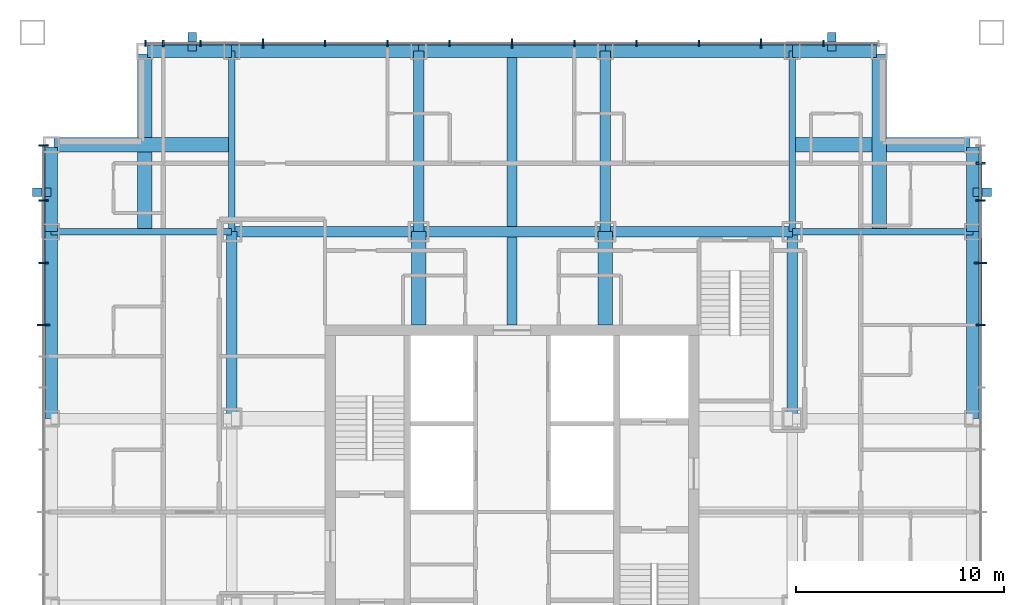
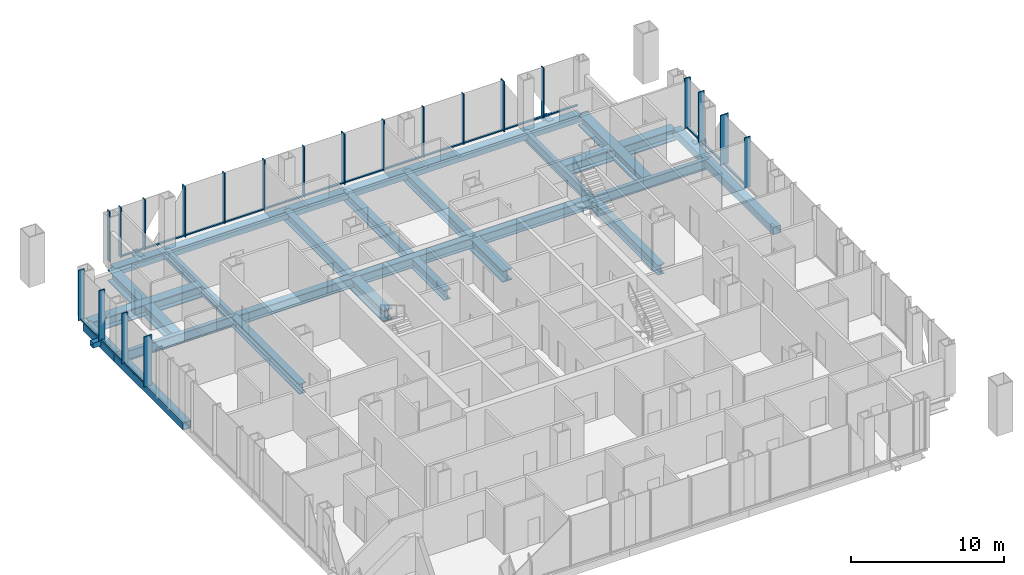
# One storey, part 4 of 12: 43 members, 27 beams, 3 elements without a shape of their own.
"""IFC4 building model written with IfcOpenShell, lengths in metres."""

from ifc_helpers import new_model, si_unit, direction, frame, origin, origin_2d, place, context, subcontext, project, spatial, rectangle, hollow_rectangle, i_section, extrude, material, layer, layer_set, material_profile, profile_set, type_object, element, aggregate, save


model = new_model("IFC4")

# Units and contexts
model_context = context("Model", 3, precision=1e-05, world=origin(), true_north=direction((0.0, 1.0)))
body_context = subcontext(model_context, "Body", "Model", "MODEL_VIEW")
ifc_project = project(units=[si_unit("LENGTHUNIT", "METRE"), si_unit("AREAUNIT", "SQUARE_METRE"), si_unit("VOLUMEUNIT", "CUBIC_METRE"), si_unit("PLANEANGLEUNIT", "RADIAN"), si_unit("MASSUNIT", "GRAM", prefix="KILO")], contexts=[model_context])

# Site, building, storey
site_placement = place(None, origin())
site = spatial("IfcSite", under=ifc_project, at=site_placement, CompositionType="ELEMENT")
building_placement = place(site_placement, origin())
building = spatial("IfcBuilding", under=site, at=building_placement, Name="Malebo Sky Hospital", CompositionType="ELEMENT")
storey_placement = place(building_placement, frame((0.0, 0.0, 221.0)))
storey = spatial("IfcBuildingStorey", under=building, at=storey_placement, Name="L53", CompositionType="ELEMENT", Elevation=221.0)

# Curtain wall, members
ifc_material_1 = material(Name="Anodised aluminium, natural silver", Category="aluminium")
ifc_layer_1 = layer(ifc_material_1, 0.25)
ifc_layer_set_1 = layer_set([ifc_layer_1], Name="WARD CURTAIN WALL NORTH AND SOUTH")
curtain_wall_type_1 = type_object("IfcCurtainWallType", Name="WARD CURTAIN WALL NORTH AND SOUTH", PredefinedType="NOTDEFINED", material=ifc_layer_set_1)
curtain_wall_1_placement = place(storey_placement, origin())
curtain_wall_1 = element("IfcCurtainWall", 1, at=curtain_wall_1_placement, inside=storey, type_object=curtain_wall_type_1, Name="NS curtain wall N", PredefinedType="NOTDEFINED")
ifc_material_profile_1 = material_profile(ifc_material_1, rectangle(XDim=0.14990234375, YDim=0.10009765625, at=origin_2d()), Name="ALUMINIUM TRANSOM 150x100")
ifc_profile_set_1 = profile_set([ifc_material_profile_1], Name="Anodised aluminium, natural silver")
member_type_1 = type_object("IfcMemberType", Name="ALUMINIUM TRANSOM 150x100", PredefinedType="USERDEFINED", material=ifc_profile_set_1)
member_1_placement = place(storey_placement, frame((43.237548828125, 84.574951171875, 0.050048828125), z_axis=(1.0, 0.0, 0.0), x_axis=(0.0, 1.0, 0.0)))
member_1 = element("IfcMember", 2, at=member_1_placement, type_object=member_type_1, Name="Transom 2", ObjectType="TRANSOM", PredefinedType="USERDEFINED", context=body_context, shape_type="SweptSolid", body=[
    extrude(rectangle(XDim=0.14990234375, YDim=0.10009765625, at=origin_2d()), origin(), (0.0, 0.0, 1.0), 1.724853515625),
])
member_2_placement = place(storey_placement, frame((45.03759765625, 84.574951171875, 0.050048828125), z_axis=(1.0, 0.0, 0.0), x_axis=(0.0, 1.0, 0.0)))
member_2 = element("IfcMember", 3, at=member_2_placement, type_object=member_type_1, Name="Transom 3", ObjectType="TRANSOM", PredefinedType="USERDEFINED", context=body_context, shape_type="SweptSolid", body=[
    extrude(rectangle(XDim=0.14990234375, YDim=0.10009765625, at=origin_2d()), origin(), (0.0, 0.0, 1.0), 2.9248046875),
])
member_3_placement = place(storey_placement, frame((48.03759765625, 84.574951171875, 0.050048828125), z_axis=(1.0, 0.0, 0.0), x_axis=(0.0, 1.0, 0.0)))
member_3 = element("IfcMember", 4, at=member_3_placement, type_object=member_type_1, Name="Transom 4", ObjectType="TRANSOM", PredefinedType="USERDEFINED", context=body_context, shape_type="SweptSolid", body=[
    extrude(rectangle(XDim=0.14990234375, YDim=0.10009765625, at=origin_2d()), origin(), (0.0, 0.0, 1.0), 2.9248046875),
])
member_4_placement = place(storey_placement, frame((51.03759765625, 84.574951171875, 0.050048828125), z_axis=(1.0, 0.0, 0.0), x_axis=(0.0, 1.0, 0.0)))
member_4 = element("IfcMember", 5, at=member_4_placement, type_object=member_type_1, Name="Transom 5", ObjectType="TRANSOM", PredefinedType="USERDEFINED", context=body_context, shape_type="SweptSolid", body=[
    extrude(rectangle(XDim=0.14990234375, YDim=0.10009765625, at=origin_2d()), origin(), (0.0, 0.0, 1.0), 2.9248046875),
])
member_5_placement = place(storey_placement, frame((54.03759765625, 84.574951171875, 0.050048828125), z_axis=(1.0, 0.0, 0.0), x_axis=(0.0, 1.0, 0.0)))
member_5 = element("IfcMember", 6, at=member_5_placement, type_object=member_type_1, Name="Transom 6", ObjectType="TRANSOM", PredefinedType="USERDEFINED", context=body_context, shape_type="SweptSolid", body=[
    extrude(rectangle(XDim=0.14990234375, YDim=0.10009765625, at=origin_2d()), origin(), (0.0, 0.0, 1.0), 2.9248046875),
])
member_6_placement = place(storey_placement, frame((57.03759765625, 84.574951171875, 0.050048828125), z_axis=(1.0, 0.0, 0.0), x_axis=(0.0, 1.0, 0.0)))
member_6 = element("IfcMember", 7, at=member_6_placement, type_object=member_type_1, Name="Transom 7", ObjectType="TRANSOM", PredefinedType="USERDEFINED", context=body_context, shape_type="SweptSolid", body=[
    extrude(rectangle(XDim=0.14990234375, YDim=0.10009765625, at=origin_2d()), origin(), (0.0, 0.0, 1.0), 2.9248046875),
])
member_7_placement = place(storey_placement, frame((60.03759765625, 84.574951171875, 0.050048828125), z_axis=(1.0, 0.0, 0.0), x_axis=(0.0, 1.0, 0.0)))
member_7 = element("IfcMember", 8, at=member_7_placement, type_object=member_type_1, Name="Transom 8", ObjectType="TRANSOM", PredefinedType="USERDEFINED", context=body_context, shape_type="SweptSolid", body=[
    extrude(rectangle(XDim=0.14990234375, YDim=0.10009765625, at=origin_2d()), origin(), (0.0, 0.0, 1.0), 2.9248046875),
])
member_8_placement = place(storey_placement, frame((63.03759765625, 84.574951171875, 0.050048828125), z_axis=(1.0, 0.0, 0.0), x_axis=(0.0, 1.0, 0.0)))
member_8 = element("IfcMember", 9, at=member_8_placement, type_object=member_type_1, Name="Transom 9", ObjectType="TRANSOM", PredefinedType="USERDEFINED", context=body_context, shape_type="SweptSolid", body=[
    extrude(rectangle(XDim=0.14990234375, YDim=0.10009765625, at=origin_2d()), origin(), (0.0, 0.0, 1.0), 2.9248046875),
])
member_9_placement = place(storey_placement, frame((66.03759765625, 84.574951171875, 0.050048828125), z_axis=(1.0, 0.0, 0.0), x_axis=(0.0, 1.0, 0.0)))
member_9 = element("IfcMember", 10, at=member_9_placement, type_object=member_type_1, Name="Transom 10", ObjectType="TRANSOM", PredefinedType="USERDEFINED", context=body_context, shape_type="SweptSolid", body=[
    extrude(rectangle(XDim=0.14990234375, YDim=0.10009765625, at=origin_2d()), origin(), (0.0, 0.0, 1.0), 2.9248046875),
])
member_10_placement = place(storey_placement, frame((69.03759765625, 84.574951171875, 0.050048828125), z_axis=(1.0, 0.0, 0.0), x_axis=(0.0, 1.0, 0.0)))
member_10 = element("IfcMember", 11, at=member_10_placement, type_object=member_type_1, Name="Transom 11", ObjectType="TRANSOM", PredefinedType="USERDEFINED", context=body_context, shape_type="SweptSolid", body=[
    extrude(rectangle(XDim=0.14990234375, YDim=0.10009765625, at=origin_2d()), origin(), (0.0, 0.0, 1.0), 2.9248046875),
])
member_11_placement = place(storey_placement, frame((72.03759765625, 84.574951171875, 0.050048828125), z_axis=(1.0, 0.0, 0.0), x_axis=(0.0, 1.0, 0.0)))
member_11 = element("IfcMember", 12, at=member_11_placement, type_object=member_type_1, Name="Transom 12", ObjectType="TRANSOM", PredefinedType="USERDEFINED", context=body_context, shape_type="SweptSolid", body=[
    extrude(rectangle(XDim=0.14990234375, YDim=0.10009765625, at=origin_2d()), origin(), (0.0, 0.0, 1.0), 2.9248046875),
])
member_12_placement = place(storey_placement, frame((75.03759765625, 84.574951171875, 0.050048828125), z_axis=(1.0, 0.0, 0.0), x_axis=(0.0, 1.0, 0.0)))
member_12 = element("IfcMember", 13, at=member_12_placement, type_object=member_type_1, Name="Transom 13", ObjectType="TRANSOM", PredefinedType="USERDEFINED", context=body_context, shape_type="SweptSolid", body=[
    extrude(rectangle(XDim=0.14990234375, YDim=0.10009765625, at=origin_2d()), origin(), (0.0, 0.0, 1.0), 2.58740234375),
])

ifc_layer_2 = layer(ifc_material_1, 0.25)
ifc_layer_set_2 = layer_set([ifc_layer_2], Name="WARD CURTAIN WALL EAST AND WEST")
curtain_wall_type_2 = type_object("IfcCurtainWallType", Name="WARD CURTAIN WALL EAST AND WEST", PredefinedType="NOTDEFINED", material=ifc_layer_set_2)
curtain_wall_2_placement = place(storey_placement, origin())
curtain_wall_2 = element("IfcCurtainWall", 14, at=curtain_wall_2_placement, inside=storey, type_object=curtain_wall_type_2, Name="EW curtain wall W", PredefinedType="NOTDEFINED")
member_13_placement = place(storey_placement, frame((37.425048828125, 71.03759765625, 0.050048828125), z_axis=(0.0, 1.0, 0.0), x_axis=(-1.0, 0.0, 0.0)))
member_13 = element("IfcMember", 15, at=member_13_placement, type_object=member_type_1, Name="Transom 12", ObjectType="TRANSOM", PredefinedType="USERDEFINED", context=body_context, shape_type="SweptSolid", body=[
    extrude(rectangle(XDim=0.14990234375, YDim=0.10009765625, at=origin_2d()), origin(), (0.0, 0.0, 1.0), 2.9248046875),
])
member_14_placement = place(storey_placement, frame((37.425048828125, 74.03759765625, 0.050048828125), z_axis=(0.0, 1.0, 0.0), x_axis=(-1.0, 0.0, 0.0)))
member_14 = element("IfcMember", 16, at=member_14_placement, type_object=member_type_1, Name="Transom 13", ObjectType="TRANSOM", PredefinedType="USERDEFINED", context=body_context, shape_type="SweptSolid", body=[
    extrude(rectangle(XDim=0.14990234375, YDim=0.10009765625, at=origin_2d()), origin(), (0.0, 0.0, 1.0), 2.9248046875),
])
member_15_placement = place(storey_placement, frame((37.425048828125, 77.03759765625, 0.050048828125), z_axis=(0.0, 1.0, 0.0), x_axis=(-1.0, 0.0, 0.0)))
member_15 = element("IfcMember", 17, at=member_15_placement, type_object=member_type_1, Name="Transom 14", ObjectType="TRANSOM", PredefinedType="USERDEFINED", context=body_context, shape_type="SweptSolid", body=[
    extrude(rectangle(XDim=0.14990234375, YDim=0.10009765625, at=origin_2d()), origin(), (0.0, 0.0, 1.0), 2.58740234375),
])

curtain_wall_3_placement = place(storey_placement, origin())
curtain_wall_3 = element("IfcCurtainWall", 18, at=curtain_wall_3_placement, inside=storey, type_object=curtain_wall_type_2, Name="EW curtain wall E", PredefinedType="NOTDEFINED")
member_16_placement = place(storey_placement, frame((82.574951171875, 78.762451171875, 0.050048828125), z_axis=(0.0, -1.0, 0.0), x_axis=(1.0, 0.0, 0.0)))
member_16 = element("IfcMember", 19, at=member_16_placement, type_object=member_type_1, Name="Transom 2", ObjectType="TRANSOM", PredefinedType="USERDEFINED", context=body_context, shape_type="SweptSolid", body=[
    extrude(rectangle(XDim=0.14990234375, YDim=0.10009765625, at=origin_2d()), origin(), (0.0, 0.0, 1.0), 1.724853515625),
])
member_17_placement = place(storey_placement, frame((82.574951171875, 76.96240234375, 0.050048828125), z_axis=(0.0, -1.0, 0.0), x_axis=(1.0, 0.0, 0.0)))
member_17 = element("IfcMember", 20, at=member_17_placement, type_object=member_type_1, Name="Transom 3", ObjectType="TRANSOM", PredefinedType="USERDEFINED", context=body_context, shape_type="SweptSolid", body=[
    extrude(rectangle(XDim=0.14990234375, YDim=0.10009765625, at=origin_2d()), origin(), (0.0, 0.0, 1.0), 2.9248046875),
])
member_18_placement = place(storey_placement, frame((82.574951171875, 73.96240234375, 0.050048828125), z_axis=(0.0, -1.0, 0.0), x_axis=(1.0, 0.0, 0.0)))
member_18 = element("IfcMember", 21, at=member_18_placement, type_object=member_type_1, Name="Transom 4", ObjectType="TRANSOM", PredefinedType="USERDEFINED", context=body_context, shape_type="SweptSolid", body=[
    extrude(rectangle(XDim=0.14990234375, YDim=0.10009765625, at=origin_2d()), origin(), (0.0, 0.0, 1.0), 2.9248046875),
])

# Members
ifc_material_2 = material(Name="Steel S355", Category="steel")
ifc_material_profile_2 = material_profile(ifc_material_2, hollow_rectangle(XDim=0.39990234375, YDim=0.39990234375, WallThickness=0.02001953125, at=origin_2d()), Name="SHS 400x20")
ifc_profile_set_2 = profile_set([ifc_material_profile_2], Name="Steel S355")
member_type_2 = type_object("IfcMemberType", Name="BRACE STRUT SHS 400x20", PredefinedType="STRUT", material=ifc_profile_set_2)
for number, where, z_axis, x_axis, name in (
    (22, (75.39990234375, 85.10009765625, -0.39990234375), (0.0, -1.0, 0.0), (1.0, 0.0, 0.0), "Brace strut CN1 L53"),
    (23, (44.60009765625, 85.10009765625, -0.39990234375), (0.0, -1.0, 0.0), (1.0, 0.0, 0.0), "Brace strut CN2 L53"),
    (24, (83.10009765625, 77.39990234375, -0.39990234375), (-1.0, 0.0, 0.0), (0.0, -1.0, 0.0), "Brace strut CE2 L53"),
    (25, (36.89990234375, 77.39990234375, -0.39990234375), (1.0, 0.0, 0.0), (0.0, 1.0, 0.0), "Brace strut CW1 L53"),
):
    element("IfcMember", number, at=place(storey_placement, frame(where, z_axis=z_axis, x_axis=x_axis)), inside=storey, type_object=member_type_2, Name=name, PredefinedType="STRUT", context=body_context, shape_type="SweptSolid", body=[
        extrude(hollow_rectangle(XDim=0.39990234375, YDim=0.39990234375, WallThickness=0.02001953125, at=origin_2d()), origin(), (0.0, 0.0, 1.0), 0.900146484375),
    ])

# Member
ifc_material_profile_3 = material_profile(ifc_material_1, rectangle(XDim=0.074951171875, YDim=0.300048828125, at=origin_2d()), Name="CW1 ALUMINIUM FIN MULLION 75x300")
ifc_profile_set_3 = profile_set([ifc_material_profile_3], Name="Anodised aluminium, natural silver")
member_type_3 = type_object("IfcMemberType", Name="CW1 ALUMINIUM FIN MULLION 75x300", PredefinedType="MULLION", material=ifc_profile_set_3)
member_19_placement = place(storey_placement, frame((42.33740234375, 84.574951171875, 0.0), z_axis=(0.0, 0.0, 1.0), x_axis=(1.0, 0.0, 0.0)))
member_19 = element("IfcMember", 26, at=member_19_placement, type_object=member_type_3, Name="Fin mullion 1", PredefinedType="MULLION", context=body_context, shape_type="SweptSolid", body=[
    extrude(rectangle(XDim=0.074951171875, YDim=0.300048828125, at=origin_2d()), origin(), (0.0, 0.0, 1.0), 4.0),
])

member_20_placement = place(storey_placement, frame((43.199951171875, 84.574951171875, 0.0), z_axis=(0.0, 0.0, 1.0), x_axis=(1.0, 0.0, 0.0)))
member_20 = element("IfcMember", 27, at=member_20_placement, type_object=member_type_3, Name="Fin mullion 2", PredefinedType="MULLION", context=body_context, shape_type="SweptSolid", body=[
    extrude(rectangle(XDim=0.074951171875, YDim=0.300048828125, at=origin_2d()), origin(), (0.0, 0.0, 1.0), 4.0),
])

member_21_placement = place(storey_placement, frame((45.0, 84.574951171875, 0.0), z_axis=(0.0, 0.0, 1.0), x_axis=(1.0, 0.0, 0.0)))
member_21 = element("IfcMember", 28, at=member_21_placement, type_object=member_type_3, Name="Fin mullion 3", PredefinedType="MULLION", context=body_context, shape_type="SweptSolid", body=[
    extrude(rectangle(XDim=0.074951171875, YDim=0.300048828125, at=origin_2d()), origin(), (0.0, 0.0, 1.0), 4.0),
])

member_22_placement = place(storey_placement, frame((51.0, 84.574951171875, 0.0), z_axis=(0.0, 0.0, 1.0), x_axis=(1.0, 0.0, 0.0)))
member_22 = element("IfcMember", 29, at=member_22_placement, type_object=member_type_3, Name="Fin mullion 5", PredefinedType="MULLION", context=body_context, shape_type="SweptSolid", body=[
    extrude(rectangle(XDim=0.074951171875, YDim=0.300048828125, at=origin_2d()), origin(), (0.0, 0.0, 1.0), 4.0),
])

member_23_placement = place(storey_placement, frame((54.0, 84.574951171875, 0.0), z_axis=(0.0, 0.0, 1.0), x_axis=(1.0, 0.0, 0.0)))
member_23 = element("IfcMember", 30, at=member_23_placement, type_object=member_type_3, Name="Fin mullion 6", PredefinedType="MULLION", context=body_context, shape_type="SweptSolid", body=[
    extrude(rectangle(XDim=0.074951171875, YDim=0.300048828125, at=origin_2d()), origin(), (0.0, 0.0, 1.0), 4.0),
])

member_24_placement = place(storey_placement, frame((57.0, 84.574951171875, 0.0), z_axis=(0.0, 0.0, 1.0), x_axis=(1.0, 0.0, 0.0)))
member_24 = element("IfcMember", 31, at=member_24_placement, type_object=member_type_3, Name="Fin mullion 7", PredefinedType="MULLION", context=body_context, shape_type="SweptSolid", body=[
    extrude(rectangle(XDim=0.074951171875, YDim=0.300048828125, at=origin_2d()), origin(), (0.0, 0.0, 1.0), 4.0),
])

member_25_placement = place(storey_placement, frame((63.0, 84.574951171875, 0.0), z_axis=(0.0, 0.0, 1.0), x_axis=(1.0, 0.0, 0.0)))
member_25 = element("IfcMember", 32, at=member_25_placement, type_object=member_type_3, Name="Fin mullion 9", PredefinedType="MULLION", context=body_context, shape_type="SweptSolid", body=[
    extrude(rectangle(XDim=0.074951171875, YDim=0.300048828125, at=origin_2d()), origin(), (0.0, 0.0, 1.0), 4.0),
])

member_26_placement = place(storey_placement, frame((66.0, 84.574951171875, 0.0), z_axis=(0.0, 0.0, 1.0), x_axis=(1.0, 0.0, 0.0)))
member_26 = element("IfcMember", 33, at=member_26_placement, type_object=member_type_3, Name="Fin mullion 10", PredefinedType="MULLION", context=body_context, shape_type="SweptSolid", body=[
    extrude(rectangle(XDim=0.074951171875, YDim=0.300048828125, at=origin_2d()), origin(), (0.0, 0.0, 1.0), 4.0),
])

member_27_placement = place(storey_placement, frame((69.0, 84.574951171875, 0.0), z_axis=(0.0, 0.0, 1.0), x_axis=(1.0, 0.0, 0.0)))
member_27 = element("IfcMember", 34, at=member_27_placement, type_object=member_type_3, Name="Fin mullion 11", PredefinedType="MULLION", context=body_context, shape_type="SweptSolid", body=[
    extrude(rectangle(XDim=0.074951171875, YDim=0.300048828125, at=origin_2d()), origin(), (0.0, 0.0, 1.0), 4.0),
])

member_28_placement = place(storey_placement, frame((75.0, 84.574951171875, 0.0), z_axis=(0.0, 0.0, 1.0), x_axis=(1.0, 0.0, 0.0)))
member_28 = element("IfcMember", 35, at=member_28_placement, type_object=member_type_3, Name="Fin mullion 13", PredefinedType="MULLION", context=body_context, shape_type="SweptSolid", body=[
    extrude(rectangle(XDim=0.074951171875, YDim=0.300048828125, at=origin_2d()), origin(), (0.0, 0.0, 1.0), 4.0),
])

ifc_material_profile_4 = material_profile(ifc_material_1, rectangle(XDim=0.074951171875, YDim=0.449951171875, at=origin_2d()), Name="CW1 ALUMINIUM FIN MULLION 75x450")
ifc_profile_set_4 = profile_set([ifc_material_profile_4], Name="Anodised aluminium, natural silver")
member_type_4 = type_object("IfcMemberType", Name="CW1 ALUMINIUM FIN MULLION 75x450", PredefinedType="MULLION", material=ifc_profile_set_4)
member_29_placement = place(storey_placement, frame((48.0, 84.574951171875, 0.0), z_axis=(0.0, 0.0, 1.0), x_axis=(1.0, 0.0, 0.0)))
member_29 = element("IfcMember", 36, at=member_29_placement, type_object=member_type_4, Name="Fin mullion 4", PredefinedType="MULLION", context=body_context, shape_type="SweptSolid", body=[
    extrude(rectangle(XDim=0.074951171875, YDim=0.449951171875, at=origin_2d()), origin(), (0.0, 0.0, 1.0), 4.0),
])

member_30_placement = place(storey_placement, frame((60.0, 84.574951171875, 0.0), z_axis=(0.0, 0.0, 1.0), x_axis=(1.0, 0.0, 0.0)))
member_30 = element("IfcMember", 37, at=member_30_placement, type_object=member_type_4, Name="Fin mullion 8", PredefinedType="MULLION", context=body_context, shape_type="SweptSolid", body=[
    extrude(rectangle(XDim=0.074951171875, YDim=0.449951171875, at=origin_2d()), origin(), (0.0, 0.0, 1.0), 4.0),
])

member_31_placement = place(storey_placement, frame((72.0, 84.574951171875, 0.0), z_axis=(0.0, 0.0, 1.0), x_axis=(1.0, 0.0, 0.0)))
member_31 = element("IfcMember", 38, at=member_31_placement, type_object=member_type_4, Name="Fin mullion 12", PredefinedType="MULLION", context=body_context, shape_type="SweptSolid", body=[
    extrude(rectangle(XDim=0.074951171875, YDim=0.449951171875, at=origin_2d()), origin(), (0.0, 0.0, 1.0), 4.0),
])

aggregate(curtain_wall_1, [member_19, member_20, member_21, member_29, member_22, member_23, member_24, member_30, member_25, member_26, member_27, member_31, member_28, member_1, member_2, member_3, member_4, member_5, member_6, member_7, member_8, member_9, member_10, member_11, member_12])

ifc_material_profile_5 = material_profile(ifc_material_1, rectangle(XDim=0.074951171875, YDim=0.449951171875, at=origin_2d()), Name="CW2 ALUMINIUM FIN MULLION 75x450")
ifc_profile_set_5 = profile_set([ifc_material_profile_5], Name="Anodised aluminium, natural silver")
member_type_5 = type_object("IfcMemberType", Name="CW2 ALUMINIUM FIN MULLION 75x450", PredefinedType="MULLION", material=ifc_profile_set_5)
member_32_placement = place(storey_placement, frame((37.425048828125, 74.0, 0.0), z_axis=(0.0, 0.0, 1.0), x_axis=(0.0, 1.0, 0.0)))
member_32 = element("IfcMember", 39, at=member_32_placement, type_object=member_type_5, Name="Fin mullion 13", PredefinedType="MULLION", context=body_context, shape_type="SweptSolid", body=[
    extrude(rectangle(XDim=0.074951171875, YDim=0.449951171875, at=origin_2d()), origin(), (0.0, 0.0, 1.0), 4.0),
])

member_33_placement = place(storey_placement, frame((37.425048828125, 77.0, 0.0), z_axis=(0.0, 0.0, 1.0), x_axis=(0.0, 1.0, 0.0)))
member_33 = element("IfcMember", 40, at=member_33_placement, type_object=member_type_5, Name="Fin mullion 14", PredefinedType="MULLION", context=body_context, shape_type="SweptSolid", body=[
    extrude(rectangle(XDim=0.074951171875, YDim=0.449951171875, at=origin_2d()), origin(), (0.0, 0.0, 1.0), 4.0),
])

member_34_placement = place(storey_placement, frame((37.425048828125, 79.66259765625, 0.0), z_axis=(0.0, 0.0, 1.0), x_axis=(0.0, 1.0, 0.0)))
member_34 = element("IfcMember", 41, at=member_34_placement, type_object=member_type_5, Name="Fin mullion 15", PredefinedType="MULLION", context=body_context, shape_type="SweptSolid", body=[
    extrude(rectangle(XDim=0.074951171875, YDim=0.449951171875, at=origin_2d()), origin(), (0.0, 0.0, 1.0), 4.0),
])

member_35_placement = place(storey_placement, frame((82.574951171875, 78.800048828125, 0.0), z_axis=(0.0, 0.0, 1.0), x_axis=(0.0, -1.0, 0.0)))
member_35 = element("IfcMember", 42, at=member_35_placement, type_object=member_type_5, Name="Fin mullion 2", PredefinedType="MULLION", context=body_context, shape_type="SweptSolid", body=[
    extrude(rectangle(XDim=0.074951171875, YDim=0.449951171875, at=origin_2d()), origin(), (0.0, 0.0, 1.0), 4.0),
])

member_36_placement = place(storey_placement, frame((82.574951171875, 77.0, 0.0), z_axis=(0.0, 0.0, 1.0), x_axis=(0.0, -1.0, 0.0)))
member_36 = element("IfcMember", 43, at=member_36_placement, type_object=member_type_5, Name="Fin mullion 3", PredefinedType="MULLION", context=body_context, shape_type="SweptSolid", body=[
    extrude(rectangle(XDim=0.074951171875, YDim=0.449951171875, at=origin_2d()), origin(), (0.0, 0.0, 1.0), 4.0),
])

member_37_placement = place(storey_placement, frame((82.574951171875, 71.0, 0.0), z_axis=(0.0, 0.0, 1.0), x_axis=(0.0, -1.0, 0.0)))
member_37 = element("IfcMember", 44, at=member_37_placement, type_object=member_type_5, Name="Fin mullion 5", PredefinedType="MULLION", context=body_context, shape_type="SweptSolid", body=[
    extrude(rectangle(XDim=0.074951171875, YDim=0.449951171875, at=origin_2d()), origin(), (0.0, 0.0, 1.0), 4.0),
])

ifc_material_profile_6 = material_profile(ifc_material_1, rectangle(XDim=0.074951171875, YDim=0.60009765625, at=origin_2d()), Name="CW2 ALUMINIUM FIN MULLION 75x600")
ifc_profile_set_6 = profile_set([ifc_material_profile_6], Name="Anodised aluminium, natural silver")
member_type_6 = type_object("IfcMemberType", Name="CW2 ALUMINIUM FIN MULLION 75x600", PredefinedType="MULLION", material=ifc_profile_set_6)
member_38_placement = place(storey_placement, frame((37.425048828125, 71.0, 0.0), z_axis=(0.0, 0.0, 1.0), x_axis=(0.0, 1.0, 0.0)))
member_38 = element("IfcMember", 45, at=member_38_placement, type_object=member_type_6, Name="Fin mullion 12", PredefinedType="MULLION", context=body_context, shape_type="SweptSolid", body=[
    extrude(rectangle(XDim=0.074951171875, YDim=0.60009765625, at=origin_2d()), origin(), (0.0, 0.0, 1.0), 4.0),
])

aggregate(curtain_wall_2, [member_38, member_32, member_33, member_34, member_13, member_14, member_15])

member_39_placement = place(storey_placement, frame((82.574951171875, 74.0, 0.0), z_axis=(0.0, 0.0, 1.0), x_axis=(0.0, -1.0, 0.0)))
member_39 = element("IfcMember", 46, at=member_39_placement, type_object=member_type_6, Name="Fin mullion 4", PredefinedType="MULLION", context=body_context, shape_type="SweptSolid", body=[
    extrude(rectangle(XDim=0.074951171875, YDim=0.60009765625, at=origin_2d()), origin(), (0.0, 0.0, 1.0), 4.0),
])

aggregate(curtain_wall_3, [member_35, member_36, member_39, member_37, member_16, member_17, member_18])

# Beams
ifc_material_3 = material(Name="Steel S460", Category="steel")
ifc_material_profile_7 = material_profile(ifc_material_3, hollow_rectangle(XDim=0.60009765625, YDim=0.60009765625, WallThickness=0.0400390625, at=origin_2d()), Name="BOX 600x600x40")
ifc_profile_set_7 = profile_set([ifc_material_profile_7], Name="Steel S460")
beam_type_1 = type_object("IfcBeamType", Name="EDGE BEAM BOX 600x600x40", PredefinedType="BEAM", material=ifc_profile_set_7)
beam_1_placement = place(storey_placement, frame((37.800048828125, 66.5, -0.550048828125), z_axis=(0.0, 1.0, 0.0), x_axis=(-1.0, 0.0, 0.0)))
element("IfcBeam", 47, at=beam_1_placement, inside=storey, type_object=beam_type_1, Name="Beam 003 L53", PredefinedType="BEAM", context=body_context, shape_type="SweptSolid", body=[
    extrude(hollow_rectangle(XDim=0.60009765625, YDim=0.60009765625, WallThickness=0.0400390625, at=origin_2d()), origin(), (0.0, 0.0, 1.0), 9.0),
])
beam_2_placement = place(storey_placement, frame((37.800048828125, 75.5, -0.550048828125), z_axis=(0.0, 1.0, 0.0), x_axis=(-1.0, 0.0, 0.0)))
element("IfcBeam", 48, at=beam_2_placement, inside=storey, type_object=beam_type_1, Name="Beam 004 L53", PredefinedType="BEAM", context=body_context, shape_type="SweptSolid", body=[
    extrude(hollow_rectangle(XDim=0.60009765625, YDim=0.60009765625, WallThickness=0.0400390625, at=origin_2d()), origin(), (0.0, 0.0, 1.0), 4.050048828125),
])
beam_3_placement = place(storey_placement, frame((82.199951171875, 66.5, -0.550048828125), z_axis=(0.0, 1.0, 0.0), x_axis=(-1.0, 0.0, 0.0)))
element("IfcBeam", 49, at=beam_3_placement, inside=storey, type_object=beam_type_1, Name="Beam 032 L53", PredefinedType="BEAM", context=body_context, shape_type="SweptSolid", body=[
    extrude(hollow_rectangle(XDim=0.60009765625, YDim=0.60009765625, WallThickness=0.0400390625, at=origin_2d()), origin(), (0.0, 0.0, 1.0), 9.0),
])
for number, where, z_axis, x_axis, name in (
    (50, (82.199951171875, 75.5, -0.550048828125), (0.0, 1.0, 0.0), (-1.0, 0.0, 0.0), "Beam 033 L53"),
    (51, (42.449951171875, 84.199951171875, -0.550048828125), (1.0, 0.0, 0.0), (0.0, 1.0, 0.0), "Beam 063 L53"),
):
    element("IfcBeam", number, at=place(storey_placement, frame(where, z_axis=z_axis, x_axis=x_axis)), inside=storey, type_object=beam_type_1, Name=name, PredefinedType="BEAM", context=body_context, shape_type="SweptSolid", body=[
        extrude(hollow_rectangle(XDim=0.60009765625, YDim=0.60009765625, WallThickness=0.0400390625, at=origin_2d()), origin(), (0.0, 0.0, 1.0), 4.050048828125),
    ])
for number, where, z_axis, x_axis, name in (
    (52, (46.5, 84.199951171875, -0.550048828125), (1.0, 0.0, 0.0), (0.0, 1.0, 0.0), "Beam 064 L53"),
    (53, (55.5, 84.199951171875, -0.550048828125), (1.0, 0.0, 0.0), (0.0, 1.0, 0.0), "Beam 065 L53"),
    (54, (64.5, 84.199951171875, -0.550048828125), (1.0, 0.0, 0.0), (0.0, 1.0, 0.0), "Beam 066 L53"),
):
    element("IfcBeam", number, at=place(storey_placement, frame(where, z_axis=z_axis, x_axis=x_axis)), inside=storey, type_object=beam_type_1, Name=name, PredefinedType="BEAM", context=body_context, shape_type="SweptSolid", body=[
        extrude(hollow_rectangle(XDim=0.60009765625, YDim=0.60009765625, WallThickness=0.0400390625, at=origin_2d()), origin(), (0.0, 0.0, 1.0), 9.0),
    ])
beam_4_placement = place(storey_placement, frame((73.5, 84.199951171875, -0.550048828125), z_axis=(1.0, 0.0, 0.0), x_axis=(0.0, 1.0, 0.0)))
element("IfcBeam", 55, at=beam_4_placement, inside=storey, type_object=beam_type_1, Name="Beam 067 L53", PredefinedType="BEAM", context=body_context, shape_type="SweptSolid", body=[
    extrude(hollow_rectangle(XDim=0.60009765625, YDim=0.60009765625, WallThickness=0.0400390625, at=origin_2d()), origin(), (0.0, 0.0, 1.0), 4.050048828125),
])
ifc_material_profile_8 = material_profile(ifc_material_2, i_section(OverallWidth=0.5, OverallDepth=0.800048828125, WebThickness=0.030029296875, FlangeThickness=0.050048828125, at=origin_2d()), Name="PG 800x500x30x50")
ifc_profile_set_8 = profile_set([ifc_material_profile_8], Name="Steel S355")
beam_type_2 = type_object("IfcBeamType", Name="FLOOR BEAM PG 800x500x30x50", PredefinedType="BEAM", material=ifc_profile_set_8)
beam_5_placement = place(storey_placement, frame((46.5, 66.5, -0.64990234375), z_axis=(0.0, 1.0, 0.0), x_axis=(-1.0, 0.0, 0.0)))
element("IfcBeam", 56, at=beam_5_placement, inside=storey, type_object=beam_type_2, Name="Beam 010 L53", PredefinedType="BEAM", context=body_context, shape_type="SweptSolid", body=[
    extrude(i_section(OverallWidth=0.5, OverallDepth=0.800048828125, WebThickness=0.030029296875, FlangeThickness=0.050048828125, at=origin_2d()), origin(), (0.0, 0.0, 1.0), 9.0),
])
beam_6_placement = place(storey_placement, frame((55.5, 75.5, -0.64990234375), z_axis=(0.0, 1.0, 0.0), x_axis=(-1.0, 0.0, 0.0)))
element("IfcBeam", 57, at=beam_6_placement, inside=storey, type_object=beam_type_2, Name="Beam 015 L53", PredefinedType="BEAM", context=body_context, shape_type="SweptSolid", body=[
    extrude(i_section(OverallWidth=0.5, OverallDepth=0.800048828125, WebThickness=0.030029296875, FlangeThickness=0.050048828125, at=origin_2d()), origin(), (0.0, 0.0, 1.0), 8.699951171875),
])
beam_7_placement = place(storey_placement, frame((60.0, 71.0, -0.64990234375), z_axis=(0.0, 1.0, 0.0), x_axis=(-1.0, 0.0, 0.0)))
element("IfcBeam", 58, at=beam_7_placement, inside=storey, type_object=beam_type_2, Name="Beam 017 L53", PredefinedType="BEAM", context=body_context, shape_type="SweptSolid", body=[
    extrude(i_section(OverallWidth=0.5, OverallDepth=0.800048828125, WebThickness=0.030029296875, FlangeThickness=0.050048828125, at=origin_2d()), origin(), (0.0, 0.0, 1.0), 13.199951171875),
])
beam_8_placement = place(storey_placement, frame((64.5, 75.5, -0.64990234375), z_axis=(0.0, 1.0, 0.0), x_axis=(-1.0, 0.0, 0.0)))
element("IfcBeam", 59, at=beam_8_placement, inside=storey, type_object=beam_type_2, Name="Beam 021 L53", PredefinedType="BEAM", context=body_context, shape_type="SweptSolid", body=[
    extrude(i_section(OverallWidth=0.5, OverallDepth=0.800048828125, WebThickness=0.030029296875, FlangeThickness=0.050048828125, at=origin_2d()), origin(), (0.0, 0.0, 1.0), 8.699951171875),
])
for number, where, z_axis, x_axis, name in (
    (60, (73.5, 66.5, -0.64990234375), (0.0, 1.0, 0.0), (-1.0, 0.0, 0.0), "Beam 025 L53"),
    (61, (46.5, 75.5, -0.64990234375), (1.0, 0.0, 0.0), (0.0, 1.0, 0.0), "Beam 057 L53"),
    (62, (64.5, 75.5, -0.64990234375), (1.0, 0.0, 0.0), (0.0, 1.0, 0.0), "Beam 059 L53"),
):
    element("IfcBeam", number, at=place(storey_placement, frame(where, z_axis=z_axis, x_axis=x_axis)), inside=storey, type_object=beam_type_2, Name=name, PredefinedType="BEAM", context=body_context, shape_type="SweptSolid", body=[
        extrude(i_section(OverallWidth=0.5, OverallDepth=0.800048828125, WebThickness=0.030029296875, FlangeThickness=0.050048828125, at=origin_2d()), origin(), (0.0, 0.0, 1.0), 9.0),
    ])
ifc_material_profile_9 = material_profile(ifc_material_2, i_section(OverallWidth=0.699951171875, OverallDepth=0.89990234375, WebThickness=0.0400390625, FlangeThickness=0.070068359375, at=origin_2d()), Name="PG 900x700x40x70")
ifc_profile_set_9 = profile_set([ifc_material_profile_9], Name="Steel S355")
beam_type_3 = type_object("IfcBeamType", Name="FLOOR BEAM PG 900x700x40x70", PredefinedType="BEAM", material=ifc_profile_set_9)
beam_9_placement = place(storey_placement, frame((42.300048828125, 75.5, -0.699951171875), z_axis=(0.0, 1.0, 0.0), x_axis=(-1.0, 0.0, 0.0)))
element("IfcBeam", 63, at=beam_9_placement, inside=storey, type_object=beam_type_3, Name="Beam 006 L53", PredefinedType="BEAM", context=body_context, shape_type="SweptSolid", body=[
    extrude(i_section(OverallWidth=0.699951171875, OverallDepth=0.89990234375, WebThickness=0.0400390625, FlangeThickness=0.070068359375, at=origin_2d()), origin(), (0.0, 0.0, 1.0), 8.550048828125),
])
for number, where, z_axis, x_axis, name in (
    (64, (55.5, 71.0, -0.699951171875), (0.0, 1.0, 0.0), (-1.0, 0.0, 0.0), "Beam 014 L53"),
    (65, (64.5, 71.0, -0.699951171875), (0.0, 1.0, 0.0), (-1.0, 0.0, 0.0), "Beam 020 L53"),
):
    element("IfcBeam", number, at=place(storey_placement, frame(where, z_axis=z_axis, x_axis=x_axis)), inside=storey, type_object=beam_type_3, Name=name, PredefinedType="BEAM", context=body_context, shape_type="SweptSolid", body=[
        extrude(i_section(OverallWidth=0.699951171875, OverallDepth=0.89990234375, WebThickness=0.0400390625, FlangeThickness=0.070068359375, at=origin_2d()), origin(), (0.0, 0.0, 1.0), 4.5),
    ])
for number, where, z_axis, x_axis, name in (
    (66, (77.699951171875, 75.5, -0.699951171875), (0.0, 1.0, 0.0), (-1.0, 0.0, 0.0), "Beam 028 L53"),
    (67, (37.949951171875, 79.699951171875, -0.699951171875), (1.0, 0.0, 0.0), (0.0, 1.0, 0.0), "Beam 061 L53"),
    (68, (73.5, 79.699951171875, -0.699951171875), (1.0, 0.0, 0.0), (0.0, 1.0, 0.0), "Beam 062 L53"),
):
    element("IfcBeam", number, at=place(storey_placement, frame(where, z_axis=z_axis, x_axis=x_axis)), inside=storey, type_object=beam_type_3, Name=name, PredefinedType="BEAM", context=body_context, shape_type="SweptSolid", body=[
        extrude(i_section(OverallWidth=0.699951171875, OverallDepth=0.89990234375, WebThickness=0.0400390625, FlangeThickness=0.070068359375, at=origin_2d()), origin(), (0.0, 0.0, 1.0), 8.550048828125),
    ])
ifc_material_profile_10 = material_profile(ifc_material_2, i_section(OverallWidth=0.300048828125, OverallDepth=0.800048828125, WebThickness=0.017578125, FlangeThickness=0.032958984375, FilletRadius=0.030029296875, at=origin_2d()), Name="HEB 800")
ifc_profile_set_10 = profile_set([ifc_material_profile_10], Name="Steel S355")
beam_type_4 = type_object("IfcBeamType", Name="FLOOR GIRDER HEB 800", PredefinedType="BEAM", material=ifc_profile_set_10)
for number, where, z_axis, x_axis, name in (
    (69, (46.5, 75.5, -0.64990234375), (0.0, 1.0, 0.0), (-1.0, 0.0, 0.0), "Beam 011 L53"),
    (70, (73.5, 75.5, -0.64990234375), (0.0, 1.0, 0.0), (-1.0, 0.0, 0.0), "Beam 026 L53"),
    (71, (37.800048828125, 75.5, -0.64990234375), (1.0, 0.0, 0.0), (0.0, 1.0, 0.0), "Beam 056 L53"),
    (72, (73.5, 75.5, -0.64990234375), (1.0, 0.0, 0.0), (0.0, 1.0, 0.0), "Beam 060 L53"),
):
    element("IfcBeam", number, at=place(storey_placement, frame(where, z_axis=z_axis, x_axis=x_axis)), inside=storey, type_object=beam_type_4, Name=name, PredefinedType="BEAM", context=body_context, shape_type="SweptSolid", body=[
        extrude(i_section(OverallWidth=0.300048828125, OverallDepth=0.800048828125, WebThickness=0.017578125, FlangeThickness=0.032958984375, FilletRadius=0.030029296875, at=origin_2d()), origin(), (0.0, 0.0, 1.0), 8.699951171875),
    ])
ifc_material_profile_11 = material_profile(ifc_material_2, i_section(OverallWidth=0.5, OverallDepth=0.800048828125, WebThickness=0.030029296875, FlangeThickness=0.050048828125, at=origin_2d()), Name="PG 800x500x30x50")
ifc_profile_set_11 = profile_set([ifc_material_profile_11], Name="Steel S355")
beam_type_5 = type_object("IfcBeamType", Name="RING GIRDER PG 800x500x30x50", PredefinedType="BEAM", material=ifc_profile_set_11)
beam_10_placement = place(storey_placement, frame((55.5, 75.5, -0.64990234375), z_axis=(1.0, 0.0, 0.0), x_axis=(0.0, 1.0, 0.0)))
element("IfcBeam", 73, at=beam_10_placement, inside=storey, type_object=beam_type_5, Name="Beam 058 L53", PredefinedType="BEAM", context=body_context, shape_type="SweptSolid", body=[
    extrude(i_section(OverallWidth=0.5, OverallDepth=0.800048828125, WebThickness=0.030029296875, FlangeThickness=0.050048828125, at=origin_2d()), origin(), (0.0, 0.0, 1.0), 9.0),
])

save(model, "model.ifc")
